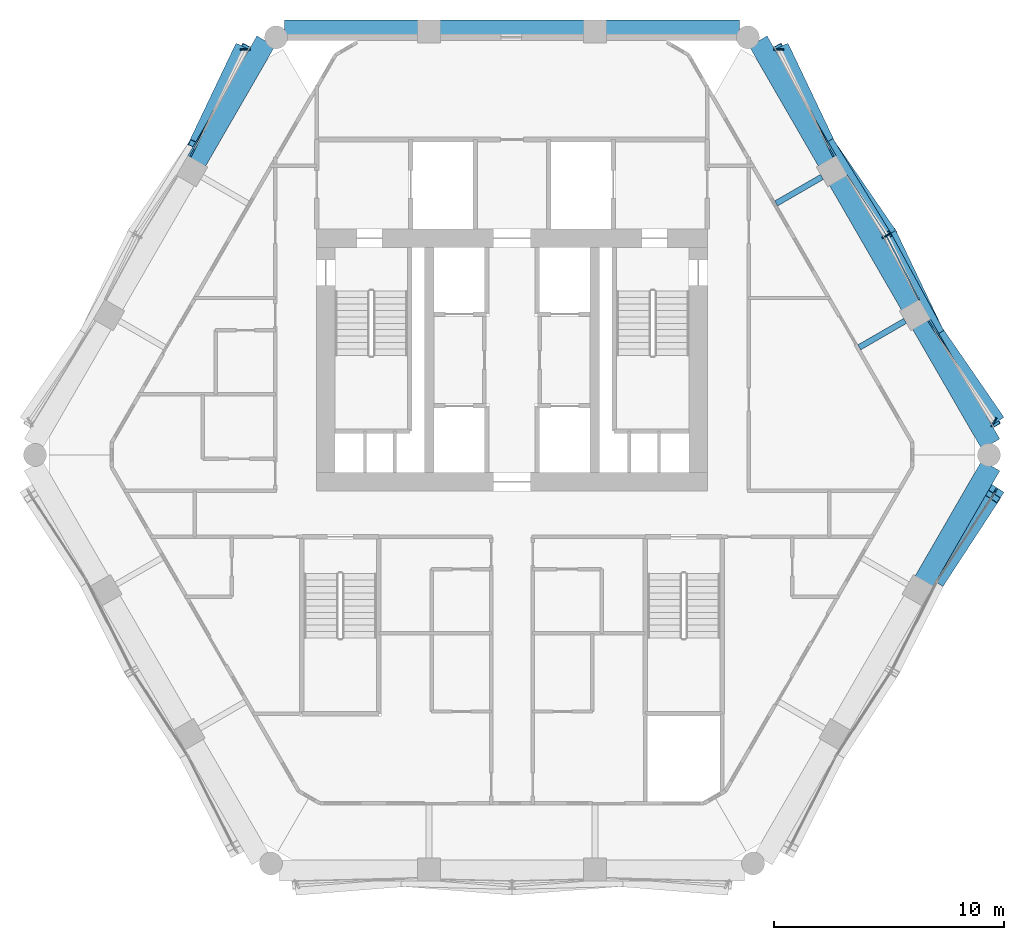
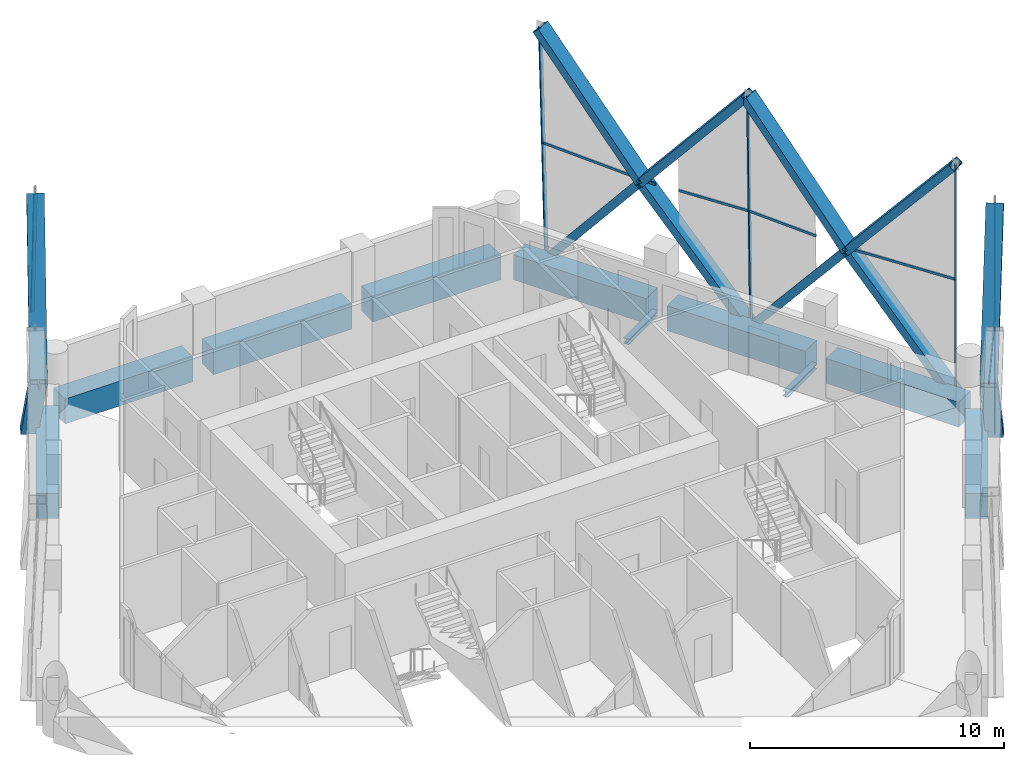
# One storey, part 7 of 19: 28 members, 10 beams, 6 elements without a shape of their own.
"""IFC4 building model written with IfcOpenShell, lengths in metres."""

from ifc_helpers import new_model, si_unit, direction, frame, origin, origin_2d, place, context, subcontext, project, spatial, rectangle, hollow_rectangle, i_section, extrude, material, material_profile, profile_set, type_object, element, aggregate, save


model = new_model("IFC4")

# Units and contexts
model_context = context("Model", 3, precision=1e-05, world=origin(), true_north=direction((0.0, 1.0)))
body_context = subcontext(model_context, "Body", "Model", "MODEL_VIEW")
ifc_project = project(units=[si_unit("LENGTHUNIT", "METRE"), si_unit("AREAUNIT", "SQUARE_METRE"), si_unit("VOLUMEUNIT", "CUBIC_METRE"), si_unit("PLANEANGLEUNIT", "RADIAN"), si_unit("MASSUNIT", "GRAM", prefix="KILO")], contexts=[model_context])

# Site, building, storey
site_placement = place(None, origin())
site = spatial("IfcSite", under=ifc_project, at=site_placement, CompositionType="ELEMENT")
building_placement = place(site_placement, origin())
building = spatial("IfcBuilding", under=site, at=building_placement, Name="Ostrander Bayou Hotel Tower", CompositionType="ELEMENT")
storey_placement = place(building_placement, frame((0.0, 0.0, 164.5)))
storey = spatial("IfcBuildingStorey", under=building, at=storey_placement, Name="L40", CompositionType="ELEMENT", Elevation=164.5)

# Curtain wall, members
ifc_material_1 = material(Name="Aluminium and clear glass", Category="aluminium")
curtain_wall_type = type_object("IfcCurtainWallType", Name="CW-LAT lattice glazing", PredefinedType="NOTDEFINED", material=ifc_material_1)
curtain_wall_1_placement = place(storey_placement, origin())
curtain_wall_1 = element("IfcCurtainWall", 1, at=curtain_wall_1_placement, inside=storey, type_object=curtain_wall_type, Name="CW-LAT L40 NW 1", PredefinedType="NOTDEFINED")
ifc_material_2 = material(Name="Aluminium", Category="aluminium")
ifc_material_profile_1 = material_profile(ifc_material_2, hollow_rectangle(XDim=0.06005859375, YDim=0.159912109375, WallThickness=0.00390625, at=origin_2d()))
ifc_profile_set_1 = profile_set([ifc_material_profile_1], Name="Aluminium")
member_type_1 = type_object("IfcMemberType", Name="CW-LA mullion 60 x 160 mm", PredefinedType="MULLION", material=ifc_profile_set_1)
member_1_placement = place(storey_placement, frame((-11.754638671875, 17.5185546875, -0.60009765625), z_axis=(0.025208999989, 0.0, 0.999682202662), x_axis=(0.0, 1.0, 0.0)))
member_1 = element("IfcMember", 2, at=member_1_placement, type_object=member_type_1, Name="CW-LAT mullion 1", PredefinedType="MULLION", context=body_context, shape_type="SweptSolid", body=[
    extrude(hollow_rectangle(XDim=0.06005859375, YDim=0.159912109375, WallThickness=0.00390625, at=origin_2d()), origin(), (0.0, 0.0, 1.0), 5.626708984375),
])
member_2_placement = place(storey_placement, frame((-11.61279296875, 17.5185546875, 5.02490234375), z_axis=(0.025165638507, 0.0, 0.999683295168), x_axis=(0.0, 1.0, 0.0)))
member_2 = element("IfcMember", 3, at=member_2_placement, type_object=member_type_1, Name="CW-LAT mullion 2", PredefinedType="MULLION", context=body_context, shape_type="SweptSolid", body=[
    extrude(hollow_rectangle(XDim=0.06005859375, YDim=0.159912109375, WallThickness=0.00390625, at=origin_2d()), origin(), (0.0, 0.0, 1.0), 5.626708984375),
])
aggregate(curtain_wall_1, [member_1, member_2])

curtain_wall_2_placement = place(storey_placement, origin())
curtain_wall_2 = element("IfcCurtainWall", 4, at=curtain_wall_2_placement, inside=storey, type_object=curtain_wall_type, Name="CW-LAT L40 SE 1", PredefinedType="NOTDEFINED")
member_3_placement = place(storey_placement, frame((21.048828125, -1.682373046875, -0.60009765625), z_axis=(-0.012626192954, -0.021824656549, 0.999682081273), x_axis=(0.865583332221, -0.500764909893, 0.0)))
member_3 = element("IfcMember", 5, at=member_3_placement, type_object=member_type_1, Name="CW-LAT mullion 8", PredefinedType="MULLION", context=body_context, shape_type="SweptSolid", body=[
    extrude(hollow_rectangle(XDim=0.06005859375, YDim=0.159912109375, WallThickness=0.00390625, at=origin_2d()), origin(), (0.0, 0.0, 1.0), 5.626708984375),
])
member_4_placement = place(storey_placement, frame((20.977783203125, -1.80517578125, 5.02490234375), z_axis=(-0.012582810856, -0.021824668484, 0.999682627996), x_axis=(0.866328918095, -0.499473928922, 0.0)))
member_4 = element("IfcMember", 6, at=member_4_placement, type_object=member_type_1, Name="CW-LAT mullion 9", PredefinedType="MULLION", context=body_context, shape_type="SweptSolid", body=[
    extrude(hollow_rectangle(XDim=0.06005859375, YDim=0.159912109375, WallThickness=0.00390625, at=origin_2d()), origin(), (0.0, 0.0, 1.0), 5.626708984375),
])
aggregate(curtain_wall_2, [member_3, member_4])

curtain_wall_3_placement = place(storey_placement, origin())
curtain_wall_3 = element("IfcCurtainWall", 7, at=curtain_wall_3_placement, inside=storey, type_object=curtain_wall_type, Name="CW-LAT L40 NE 1", PredefinedType="NOTDEFINED")
member_5_placement = place(storey_placement, frame((21.048828125, 1.420654296875, -0.60009765625), z_axis=(-0.012626192954, -0.021824656549, 0.999682081273), x_axis=(0.865583332221, -0.500764909893, 0.0)))
member_5 = element("IfcMember", 8, at=member_5_placement, type_object=member_type_1, Name="CW-LAT mullion 1", PredefinedType="MULLION", context=body_context, shape_type="SweptSolid", body=[
    extrude(hollow_rectangle(XDim=0.06005859375, YDim=0.159912109375, WallThickness=0.00390625, at=origin_2d()), origin(), (0.0, 0.0, 1.0), 5.626708984375),
])
member_6_placement = place(storey_placement, frame((20.977783203125, 1.2978515625, 5.02490234375), z_axis=(-0.012582810856, -0.021824668484, 0.999682627996), x_axis=(0.866328918095, -0.499473928922, 0.0)))
member_6 = element("IfcMember", 9, at=member_6_placement, type_object=member_type_1, Name="CW-LAT mullion 2", PredefinedType="MULLION", context=body_context, shape_type="SweptSolid", body=[
    extrude(hollow_rectangle(XDim=0.06005859375, YDim=0.159912109375, WallThickness=0.00390625, at=origin_2d()), origin(), (0.0, 0.0, 1.0), 5.626708984375),
])
member_7_placement = place(storey_placement, frame((16.401611328125, 9.469482421875, -0.60009765625), z_axis=(-0.018875724526, -0.010891510014, 0.999762512817), x_axis=(0.499779910804, -0.866152435058, 0.0)))
member_7 = element("IfcMember", 10, at=member_7_placement, type_object=member_type_1, Name="CW-LAT mullion 4", PredefinedType="MULLION", context=body_context, shape_type="SweptSolid", body=[
    extrude(hollow_rectangle(XDim=0.06005859375, YDim=0.159912109375, WallThickness=0.00390625, at=origin_2d()), origin(), (0.0, 0.0, 1.0), 5.626220703125),
])
member_8_placement = place(storey_placement, frame((16.29541015625, 9.408203125, 5.02490234375), z_axis=(-0.018875715587, -0.010934897306, 0.999762039378), x_axis=(0.501271486133, -0.865290065348, 0.0)))
member_8 = element("IfcMember", 11, at=member_8_placement, type_object=member_type_1, Name="CW-LAT mullion 5", PredefinedType="MULLION", context=body_context, shape_type="SweptSolid", body=[
    extrude(hollow_rectangle(XDim=0.06005859375, YDim=0.159912109375, WallThickness=0.00390625, at=origin_2d()), origin(), (0.0, 0.0, 1.0), 5.626220703125),
])
member_9_placement = place(storey_placement, frame((11.754638671875, 17.5185546875, -0.60009765625), z_axis=(-0.025208999989, 0.0, 0.999682202662), x_axis=(0.0, -1.0, 0.0)))
member_9 = element("IfcMember", 12, at=member_9_placement, type_object=member_type_1, Name="CW-LAT mullion 8", PredefinedType="MULLION", context=body_context, shape_type="SweptSolid", body=[
    extrude(hollow_rectangle(XDim=0.06005859375, YDim=0.159912109375, WallThickness=0.00390625, at=origin_2d()), origin(), (0.0, 0.0, 1.0), 5.626708984375),
])
member_10_placement = place(storey_placement, frame((11.61279296875, 17.5185546875, 5.02490234375), z_axis=(-0.025165638507, 0.0, 0.999683295168), x_axis=(0.0, -1.0, 0.0)))
member_10 = element("IfcMember", 13, at=member_10_placement, type_object=member_type_1, Name="CW-LAT mullion 9", PredefinedType="MULLION", context=body_context, shape_type="SweptSolid", body=[
    extrude(hollow_rectangle(XDim=0.06005859375, YDim=0.159912109375, WallThickness=0.00390625, at=origin_2d()), origin(), (0.0, 0.0, 1.0), 5.626708984375),
])
aggregate(curtain_wall_3, [member_5, member_6, member_7, member_8, member_9, member_10])

# Curtain wall, member
curtain_wall_4_placement = place(storey_placement, origin())
curtain_wall_4 = element("IfcCurtainWall", 14, at=curtain_wall_4_placement, inside=storey, type_object=curtain_wall_type, Name="CW-LAT L40 NW 2", PredefinedType="NOTDEFINED")
ifc_material_3 = material(Name="Aluminium", Category="aluminium")
ifc_material_profile_2 = material_profile(ifc_material_3, hollow_rectangle(XDim=0.06005859375, YDim=0.1201171875, WallThickness=0.00390625, at=origin_2d()))
ifc_profile_set_2 = profile_set([ifc_material_profile_2], Name="Aluminium")
member_type_2 = type_object("IfcMemberType", Name="CW-LA transom 60 x 120 mm", PredefinedType="USERDEFINED", material=ifc_profile_set_2)
member_11_placement = place(storey_placement, frame((-11.61279296875, 17.5185546875, 5.02490234375), z_axis=(-0.454355214369, -0.89082059876, 0.0), x_axis=(0.89082059876, -0.454355214369, 0.0)))
member_11 = element("IfcMember", 15, at=member_11_placement, type_object=member_type_2, Name="CW-LAT transom 3", ObjectType="TRANSOM", PredefinedType="USERDEFINED", context=body_context, shape_type="SweptSolid", body=[
    extrude(hollow_rectangle(XDim=0.06005859375, YDim=0.1201171875, WallThickness=0.00390625, at=origin_2d()), origin(), (0.0, 0.0, 1.0), 5.254150390625),
])
aggregate(curtain_wall_4, [member_11])

curtain_wall_5_placement = place(storey_placement, origin())
curtain_wall_5 = element("IfcCurtainWall", 16, at=curtain_wall_5_placement, inside=storey, type_object=curtain_wall_type, Name="CW-LAT L40 SE 2", PredefinedType="NOTDEFINED")
member_12_placement = place(storey_placement, frame((20.977783203125, -1.80517578125, 5.02490234375), z_axis=(-0.545310902282, -0.838233869426, 0.0), x_axis=(0.838233869426, -0.545310902282, 0.0)))
member_12 = element("IfcMember", 17, at=member_12_placement, type_object=member_type_2, Name="CW-LAT transom 10", ObjectType="TRANSOM", PredefinedType="USERDEFINED", context=body_context, shape_type="SweptSolid", body=[
    extrude(hollow_rectangle(XDim=0.06005859375, YDim=0.1201171875, WallThickness=0.00390625, at=origin_2d()), origin(), (0.0, 0.0, 1.0), 4.468994140625),
])
aggregate(curtain_wall_5, [member_12])

# Curtain wall, members
curtain_wall_6_placement = place(storey_placement, origin())
curtain_wall_6 = element("IfcCurtainWall", 18, at=curtain_wall_6_placement, inside=storey, type_object=curtain_wall_type, Name="CW-LAT L40 NE 2", PredefinedType="NOTDEFINED")
member_13_placement = place(storey_placement, frame((20.977783203125, 1.2978515625, 5.02490234375), z_axis=(-0.544287455299, 0.83889878174, 0.0), x_axis=(-0.83889878174, -0.544287455299, 0.0)))
member_13 = element("IfcMember", 19, at=member_13_placement, type_object=member_type_2, Name="CW-LAT transom 3", ObjectType="TRANSOM", PredefinedType="USERDEFINED", context=body_context, shape_type="SweptSolid", body=[
    extrude(hollow_rectangle(XDim=0.06005859375, YDim=0.1201171875, WallThickness=0.00390625, at=origin_2d()), origin(), (0.0, 0.0, 1.0), 5.25390625),
])
member_14_placement = place(storey_placement, frame((16.29541015625, 9.408203125, 5.02490234375), z_axis=(0.454361451248, -0.890817417668, 0.0), x_axis=(0.890817417668, 0.454361451248, 0.0)))
member_14 = element("IfcMember", 20, at=member_14_placement, type_object=member_type_2, Name="CW-LAT transom 6", ObjectType="TRANSOM", PredefinedType="USERDEFINED", context=body_context, shape_type="SweptSolid", body=[
    extrude(hollow_rectangle(XDim=0.06005859375, YDim=0.1201171875, WallThickness=0.00390625, at=origin_2d()), origin(), (0.0, 0.0, 1.0), 3.122314453125),
])
member_15_placement = place(storey_placement, frame((16.29541015625, 9.408203125, 5.02490234375), z_axis=(-0.544317538118, 0.838879262884, 0.0), x_axis=(-0.838879262884, -0.544317538118, 0.0)))
member_15 = element("IfcMember", 21, at=member_15_placement, type_object=member_type_2, Name="CW-LAT transom 7", ObjectType="TRANSOM", PredefinedType="USERDEFINED", context=body_context, shape_type="SweptSolid", body=[
    extrude(hollow_rectangle(XDim=0.06005859375, YDim=0.1201171875, WallThickness=0.00390625, at=origin_2d()), origin(), (0.0, 0.0, 1.0), 3.1220703125),
])
member_16_placement = place(storey_placement, frame((11.61279296875, 17.5185546875, 5.02490234375), z_axis=(0.454355214369, -0.89082059876, 0.0), x_axis=(0.89082059876, 0.454355214369, 0.0)))
member_16 = element("IfcMember", 22, at=member_16_placement, type_object=member_type_2, Name="CW-LAT transom 10", ObjectType="TRANSOM", PredefinedType="USERDEFINED", context=body_context, shape_type="SweptSolid", body=[
    extrude(hollow_rectangle(XDim=0.06005859375, YDim=0.1201171875, WallThickness=0.00390625, at=origin_2d()), origin(), (0.0, 0.0, 1.0), 5.254150390625),
])
aggregate(curtain_wall_6, [member_13, member_14, member_15, member_16])

# Beams
ifc_material_4 = material(Name="Steel ASTM A992", Category="steel")
ifc_material_profile_3 = material_profile(ifc_material_4, i_section(OverallWidth=0.25390625, OverallDepth=0.25341796875, WebThickness=0.008544921875, FlangeThickness=0.01416015625, at=origin_2d()))
ifc_profile_set_3 = profile_set([ifc_material_profile_3], Name="Steel ASTM A992")
beam_type_1 = type_object("IfcBeamType", Name="LB2 loggia bracket W10x49", PredefinedType="BEAM", material=ifc_profile_set_3)
for number, where, z_axis, x_axis, name in (
    (23, (17.11083984375, 5.701171875, -0.4267578125), (-0.866053019151, -0.499952165731, 0.0), (0.499952165731, -0.866053019151, 0.0), "LB2 L40 NE1"),
    (24, (13.492919921875, 11.968017578125, -0.4267578125), (-0.866007057882, -0.500031774688, 0.0), (0.500031774688, -0.866007057882, 0.0), "LB2 L40 NE2"),
):
    element("IfcBeam", number, at=place(storey_placement, frame(where, z_axis=z_axis, x_axis=x_axis)), inside=storey, type_object=beam_type_1, Name=name, PredefinedType="BEAM", context=body_context, shape_type="SweptSolid", body=[
        extrude(i_section(OverallWidth=0.25390625, OverallDepth=0.25341796875, WebThickness=0.008544921875, FlangeThickness=0.01416015625, at=origin_2d()), origin(), (0.0, 0.0, 1.0), 2.300048828125),
    ])

# Members
ifc_material_5 = material(Name="Steel ASTM A572 Gr 50", Category="steel")
ifc_material_profile_4 = material_profile(ifc_material_5, hollow_rectangle(XDim=0.699951171875, YDim=0.35009765625, WallThickness=0.02490234375, at=origin_2d()))
ifc_profile_set_4 = profile_set([ifc_material_profile_4], Name="Steel ASTM A572 Gr 50")
member_type_3 = type_object("IfcMemberType", Name="LT1 lattice member box 700 x 350 x 25 mm", PredefinedType="BRACE", material=ifc_profile_set_4)
member_17_placement = place(storey_placement, frame((-13.743408203125, 13.341552734375, 5.02490234375), z_axis=(0.273067304735, 0.573521791886, -0.772338657143), x_axis=(-0.902883928556, 0.429884416507, 0.0)))
element("IfcMember", 25, at=member_17_placement, inside=storey, type_object=member_type_3, Name="LT1 L40 NW 1", PredefinedType="BRACE", context=body_context, shape_type="SweptSolid", body=[
    extrude(hollow_rectangle(XDim=0.699951171875, YDim=0.35009765625, WallThickness=0.02490234375, at=origin_2d()), origin(), (0.0, 0.0, 1.0), 7.282958984375),
])
member_18_placement = place(storey_placement, frame((-13.743408203125, 13.341552734375, 5.02490234375), z_axis=(0.308493582677, 0.567101827229, 0.763693149767), x_axis=(-0.878438530635, 0.477855362945, 0.0)))
element("IfcMember", 26, at=member_18_placement, inside=storey, type_object=member_type_3, Name="LT1 L40 NW 2", PredefinedType="BRACE", context=body_context, shape_type="SweptSolid", body=[
    extrude(hollow_rectangle(XDim=0.699951171875, YDim=0.35009765625, WallThickness=0.02490234375, at=origin_2d()), origin(), (0.0, 0.0, 1.0), 7.365478515625),
])
member_19_placement = place(storey_placement, frame((18.540771484375, -5.55126953125, 5.02490234375), z_axis=(0.344835716412, 0.531939219116, -0.77338799826), x_axis=(-0.839109572246, 0.543962430472, 0.0)))
element("IfcMember", 27, at=member_19_placement, inside=storey, type_object=member_type_3, Name="LT1 L40 SE 7", PredefinedType="BRACE", context=body_context, shape_type="SweptSolid", body=[
    extrude(hollow_rectangle(XDim=0.699951171875, YDim=0.35009765625, WallThickness=0.02490234375, at=origin_2d()), origin(), (0.0, 0.0, 1.0), 7.273193359375),
])
member_20_placement = place(storey_placement, frame((18.540771484375, -5.55126953125, 5.02490234375), z_axis=(0.333408673271, 0.510536330995, 0.79258520761), x_axis=(-0.837272612957, 0.546785672446, 0.0)))
element("IfcMember", 28, at=member_20_placement, inside=storey, type_object=member_type_3, Name="LT1 L40 SE 8", PredefinedType="BRACE", context=body_context, shape_type="SweptSolid", body=[
    extrude(hollow_rectangle(XDim=0.699951171875, YDim=0.35009765625, WallThickness=0.02490234375, at=origin_2d()), origin(), (0.0, 0.0, 1.0), 7.096923828125),
])
member_21_placement = place(storey_placement, frame((18.42578125, 5.231201171875, 5.02490234375), z_axis=(0.360163008419, -0.523215211783, -0.772352542253), x_axis=(0.823709174916, 0.567012517638, 0.0)))
element("IfcMember", 29, at=member_21_placement, inside=storey, type_object=member_type_3, Name="LT1 L40 NE 1", PredefinedType="BRACE", context=body_context, shape_type="SweptSolid", body=[
    extrude(hollow_rectangle(XDim=0.699951171875, YDim=0.35009765625, WallThickness=0.02490234375, at=origin_2d()), origin(), (0.0, 0.0, 1.0), 7.282958984375),
])
member_22_placement = place(storey_placement, frame((18.42578125, 5.231201171875, 5.02490234375), z_axis=(0.336871820659, -0.550702393823, 0.763704294792), x_axis=(0.853053293355, 0.521823800431, 0.0)))
element("IfcMember", 30, at=member_22_placement, inside=storey, type_object=member_type_3, Name="LT1 L40 NE 2", PredefinedType="BRACE", context=body_context, shape_type="SweptSolid", body=[
    extrude(hollow_rectangle(XDim=0.699951171875, YDim=0.35009765625, WallThickness=0.02490234375, at=origin_2d()), origin(), (0.0, 0.0, 1.0), 7.365478515625),
])
member_23_placement = place(storey_placement, frame((18.42578125, 5.231201171875, 5.02490234375), z_axis=(-0.276220633507, 0.578360897078, -0.767594185984), x_axis=(-0.902368956601, -0.430964344423, 0.0)))
element("IfcMember", 31, at=member_23_placement, inside=storey, type_object=member_type_3, Name="LT1 L40 NE 3", PredefinedType="BRACE", context=body_context, shape_type="SweptSolid", body=[
    extrude(hollow_rectangle(XDim=0.699951171875, YDim=0.35009765625, WallThickness=0.02490234375, at=origin_2d()), origin(), (0.0, 0.0, 1.0), 7.328125),
])
member_24_placement = place(storey_placement, frame((18.42578125, 5.231201171875, 5.02490234375), z_axis=(-0.305549377015, 0.562236202198, 0.768459518221), x_axis=(-0.878633542001, -0.477496700378, 0.0)))
element("IfcMember", 32, at=member_24_placement, inside=storey, type_object=member_type_3, Name="LT1 L40 NE 4", PredefinedType="BRACE", context=body_context, shape_type="SweptSolid", body=[
    extrude(hollow_rectangle(XDim=0.699951171875, YDim=0.35009765625, WallThickness=0.02490234375, at=origin_2d()), origin(), (0.0, 0.0, 1.0), 7.31982421875),
])
member_25_placement = place(storey_placement, frame((13.743408203125, 13.341552734375, 5.02490234375), z_axis=(0.362746014515, -0.528393808799, -0.767603616313), x_axis=(0.824423944242, 0.565972755669, 0.0)))
element("IfcMember", 33, at=member_25_placement, inside=storey, type_object=member_type_3, Name="LT1 L40 NE 5", PredefinedType="BRACE", context=body_context, shape_type="SweptSolid", body=[
    extrude(hollow_rectangle(XDim=0.699951171875, YDim=0.35009765625, WallThickness=0.02490234375, at=origin_2d()), origin(), (0.0, 0.0, 1.0), 7.327880859375),
])
member_26_placement = place(storey_placement, frame((13.743408203125, 13.341552734375, 5.02490234375), z_axis=(0.334128355443, -0.545751874637, 0.768448523598), x_axis=(0.85285509352, 0.522147670163, 0.0)))
element("IfcMember", 34, at=member_26_placement, inside=storey, type_object=member_type_3, Name="LT1 L40 NE 6", PredefinedType="BRACE", context=body_context, shape_type="SweptSolid", body=[
    extrude(hollow_rectangle(XDim=0.699951171875, YDim=0.35009765625, WallThickness=0.02490234375, at=origin_2d()), origin(), (0.0, 0.0, 1.0), 7.31982421875),
])
member_27_placement = place(storey_placement, frame((13.743408203125, 13.341552734375, 5.02490234375), z_axis=(-0.273067304735, 0.573521791886, -0.772338657143), x_axis=(-0.902883928556, -0.429884416507, 0.0)))
element("IfcMember", 35, at=member_27_placement, inside=storey, type_object=member_type_3, Name="LT1 L40 NE 7", PredefinedType="BRACE", context=body_context, shape_type="SweptSolid", body=[
    extrude(hollow_rectangle(XDim=0.699951171875, YDim=0.35009765625, WallThickness=0.02490234375, at=origin_2d()), origin(), (0.0, 0.0, 1.0), 7.282958984375),
])
member_28_placement = place(storey_placement, frame((13.743408203125, 13.341552734375, 5.02490234375), z_axis=(-0.308493582677, 0.567101827229, 0.763693149767), x_axis=(-0.878438530635, -0.477855362945, 0.0)))
element("IfcMember", 36, at=member_28_placement, inside=storey, type_object=member_type_3, Name="LT1 L40 NE 8", PredefinedType="BRACE", context=body_context, shape_type="SweptSolid", body=[
    extrude(hollow_rectangle(XDim=0.699951171875, YDim=0.35009765625, WallThickness=0.02490234375, at=origin_2d()), origin(), (0.0, 0.0, 1.0), 7.365478515625),
])

# Beams
ifc_material_6 = material(Name="Concrete f'c 60 MPa", Category="concrete")
ifc_material_profile_5 = material_profile(ifc_material_6, rectangle(XDim=0.89990234375, YDim=1.199951171875, at=origin_2d()))
ifc_profile_set_5 = profile_set([ifc_material_profile_5], Name="Concrete f'c 60 MPa")
beam_type_2 = type_object("IfcBeamType", Name="SP3 spandrel beam 900 x 1200 mm f'c 60 MPa", PredefinedType="SPANDREL", material=ifc_profile_set_5)
beam_1_placement = place(storey_placement, frame((9.90087890625, 18.35009765625, -0.60009765625), z_axis=(-1.0, 0.0, 0.0), x_axis=(0.0, -1.0, 0.0)))
element("IfcBeam", 37, at=beam_1_placement, inside=storey, type_object=beam_type_2, Name="SP3 L40 N-1", PredefinedType="SPANDREL", context=body_context, shape_type="SweptSolid", body=[
    extrude(rectangle(XDim=0.89990234375, YDim=1.199951171875, at=origin_2d()), origin(), (0.0, 0.0, 1.0), 5.812744140625),
])
beam_2_placement = place(storey_placement, frame((3.148193359375, 18.35009765625, -0.60009765625), z_axis=(-1.0, 0.0, 0.0), x_axis=(0.0, -1.0, 0.0)))
element("IfcBeam", 38, at=beam_2_placement, inside=storey, type_object=beam_type_2, Name="SP3 L40 N-2", PredefinedType="SPANDREL", context=body_context, shape_type="SweptSolid", body=[
    extrude(rectangle(XDim=0.89990234375, YDim=1.199951171875, at=origin_2d()), origin(), (0.0, 0.0, 1.0), 6.29638671875),
])
beam_3_placement = place(storey_placement, frame((-4.088134765625, 18.35009765625, -0.60009765625), z_axis=(-1.0, 0.0, 0.0), x_axis=(0.0, -1.0, 0.0)))
element("IfcBeam", 39, at=beam_3_placement, inside=storey, type_object=beam_type_2, Name="SP3 L40 N-3", PredefinedType="SPANDREL", context=body_context, shape_type="SweptSolid", body=[
    extrude(rectangle(XDim=0.89990234375, YDim=1.199951171875, at=origin_2d()), origin(), (0.0, 0.0, 1.0), 5.812744140625),
])
beam_4_placement = place(storey_placement, frame((-10.71435546875, 17.88037109375, -0.60009765625), z_axis=(-0.499995386674, -0.866028067273, 0.0), x_axis=(0.866028067273, -0.499995386674, 0.0)))
element("IfcBeam", 40, at=beam_4_placement, inside=storey, type_object=beam_type_2, Name="SP3 L40 NW-1", PredefinedType="SPANDREL", context=body_context, shape_type="SweptSolid", body=[
    extrude(rectangle(XDim=0.89990234375, YDim=1.199951171875, at=origin_2d()), origin(), (0.0, 0.0, 1.0), 6.03955078125),
])
beam_5_placement = place(storey_placement, frame((17.935546875, -5.634521484375, -0.60009765625), z_axis=(0.500019366424, 0.866014222285, 0.0), x_axis=(-0.866014222285, 0.500019366424, 0.0)))
element("IfcBeam", 41, at=beam_5_placement, inside=storey, type_object=beam_type_2, Name="SP3 L40 SE-3", PredefinedType="SPANDREL", context=body_context, shape_type="SweptSolid", body=[
    extrude(rectangle(XDim=0.89990234375, YDim=1.199951171875, at=origin_2d()), origin(), (0.0, 0.0, 1.0), 5.812744140625),
])
beam_6_placement = place(storey_placement, frame((20.842041015625, 0.3388671875, -0.60009765625), z_axis=(-0.500012890865, 0.866017961112, 0.0), x_axis=(-0.866017961112, -0.500012890865, 0.0)))
element("IfcBeam", 42, at=beam_6_placement, inside=storey, type_object=beam_type_2, Name="SP3 L40 NE-1", PredefinedType="SPANDREL", context=body_context, shape_type="SweptSolid", body=[
    extrude(rectangle(XDim=0.89990234375, YDim=1.199951171875, at=origin_2d()), origin(), (0.0, 0.0, 1.0), 6.039306640625),
])
beam_7_placement = place(storey_placement, frame((17.352294921875, 6.38330078125, -0.60009765625), z_axis=(-0.500030142214, 0.86600800047, 0.0), x_axis=(-0.86600800047, -0.500030142214, 0.0)))
element("IfcBeam", 43, at=beam_7_placement, inside=storey, type_object=beam_type_2, Name="SP3 L40 NE-2", PredefinedType="SPANDREL", context=body_context, shape_type="SweptSolid", body=[
    extrude(rectangle(XDim=0.89990234375, YDim=1.199951171875, at=origin_2d()), origin(), (0.0, 0.0, 1.0), 6.2958984375),
])
beam_8_placement = place(storey_placement, frame((13.734130859375, 12.64990234375, -0.60009765625), z_axis=(-0.499995386674, 0.866028067273, 0.0), x_axis=(-0.866028067273, -0.499995386674, 0.0)))
element("IfcBeam", 44, at=beam_8_placement, inside=storey, type_object=beam_type_2, Name="SP3 L40 NE-3", PredefinedType="SPANDREL", context=body_context, shape_type="SweptSolid", body=[
    extrude(rectangle(XDim=0.89990234375, YDim=1.199951171875, at=origin_2d()), origin(), (0.0, 0.0, 1.0), 6.03955078125),
])

save(model, "model.ifc")
